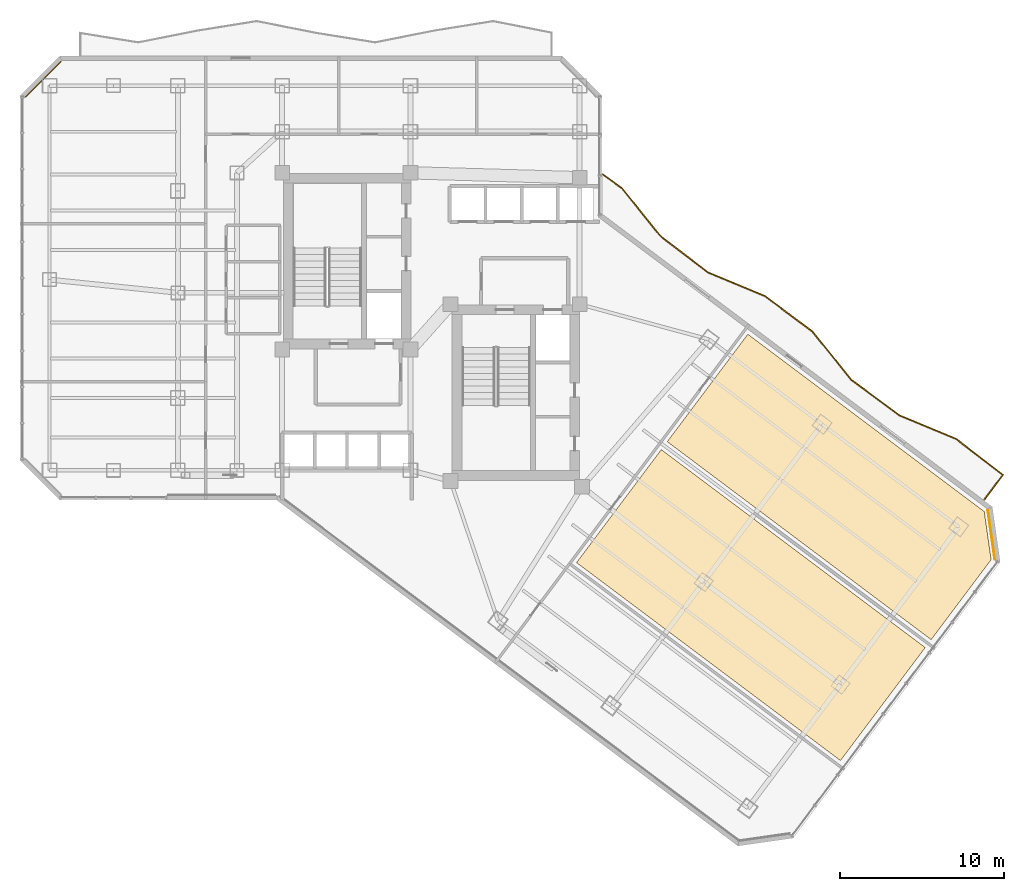
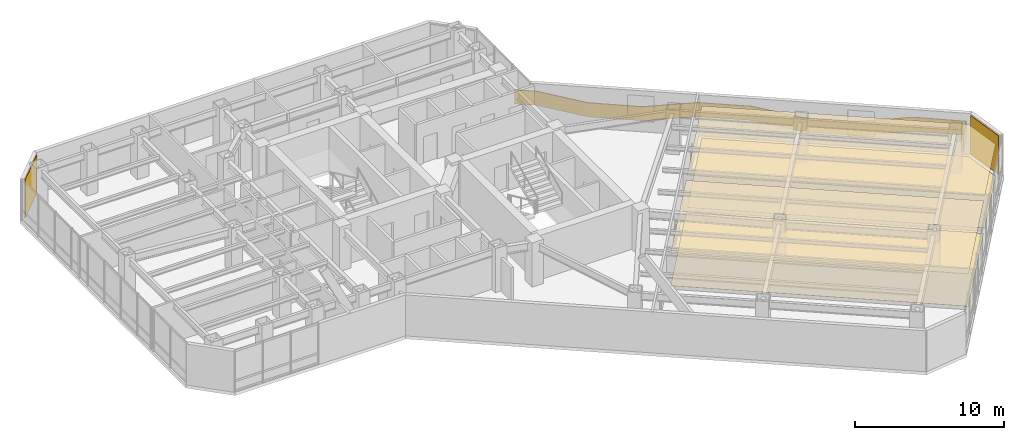
# One storey, part 28 of 30: 6 coverings, 1 railing.
"""IFC4 building model written with IfcOpenShell, lengths in metres."""

from ifc_helpers import new_model, si_unit, direction, frame, origin, origin_2d, place, context, subcontext, project, spatial, polyline, rectangle, outline, extrude, material, layer, layer_set, type_object, element, save


model = new_model("IFC4")

# Units and contexts
model_context = context("Model", 3, precision=1e-05, world=origin(), true_north=direction((0.0, 1.0)))
body_context = subcontext(model_context, "Body", "Model", "MODEL_VIEW")
ifc_project = project(units=[si_unit("LENGTHUNIT", "METRE"), si_unit("AREAUNIT", "SQUARE_METRE"), si_unit("VOLUMEUNIT", "CUBIC_METRE"), si_unit("PLANEANGLEUNIT", "RADIAN"), si_unit("MASSUNIT", "GRAM", prefix="KILO")], contexts=[model_context])

# Site, building, storey
site_placement = place(None, origin())
site = spatial("IfcSite", under=ifc_project, at=site_placement, CompositionType="ELEMENT")
building_placement = place(site_placement, origin())
building = spatial("IfcBuilding", under=site, at=building_placement, Name="Hatsunagi Terrace Concourse", CompositionType="ELEMENT")
storey_placement = place(building_placement, frame((0.0, 0.0, 101.25)))
storey = spatial("IfcBuildingStorey", under=building, at=storey_placement, Name="L26", CompositionType="ELEMENT", Elevation=101.25)

# Covering
ifc_material_1 = material(Name="Acoustic mineral board", Category="gypsum")
ifc_layer_1 = layer(ifc_material_1, 0.02001953125)
ifc_layer_set_1 = layer_set([ifc_layer_1], Name="AcousticMineralCeiling_20")
covering_type_1 = type_object("IfcCoveringType", Name="AcousticMineralCeiling_20", PredefinedType="CEILING", material=ifc_layer_set_1)
covering_1_placement = place(storey_placement, frame((0.0, 0.0, 2.6298828125)))
element("IfcCovering", 1, at=covering_1_placement, inside=storey, type_object=covering_type_1, Name="Suspended Ceiling L26-2", PredefinedType="CEILING", context=body_context, shape_type="SweptSolid", body=[
    extrude(outline(polyline([(68.26611328125, 22.68798828125), (53.882080078125, 33.47607421875), (48.97998046875, 26.93994140625), (65.035888671875, 14.89794921875), (68.68408203125, 19.761962890625), (68.26611328125, 22.68798828125)])), origin(), (0.0, 0.0, 1.0), 0.02001953125),
])

# Railing
ifc_material_2 = material(Name="Laminated Glass and Stainless Steel Guard", Category="steel")
ifc_layer_2 = layer(ifc_material_2, 0.070068359375)
ifc_layer_set_2 = layer_set([ifc_layer_2], Name="BalconyGlassGuardRail_1150")
railing_type = type_object("IfcRailingType", Name="BalconyGlassGuardRail_1150", PredefinedType="BALUSTRADE", material=ifc_layer_set_2)
railing_placement = place(storey_placement, origin())
element("IfcRailing", 2, at=railing_placement, inside=storey, type_object=railing_type, Name="Engawa Balcony Guard GRD-01 L26-BSE-1", PredefinedType="BALUSTRADE", context=body_context, shape_type="SweptSolid", body=[
    extrude(outline(polyline([(45.066650390625, 43.245361328125), (45.025390625, 43.188720703125), (46.187744140625, 42.344482421875), (48.539306640625, 39.4267578125), (51.4443359375, 37.20849609375), (54.906494140625, 35.768310546875), (57.798583984375, 33.605712890625), (60.149658203125, 30.6845703125), (63.087646484375, 28.50927734375), (66.54931640625, 27.069580078125), (69.349365234375, 24.909423828125), (68.241943359375, 23.430908203125), (68.298095703125, 23.388916015625), (69.44677734375, 24.922607421875), (66.584716796875, 27.130615234375), (63.122314453125, 28.57080078125), (60.198486328125, 30.735595703125), (57.847412109375, 33.656494140625), (54.94140625, 35.82958984375), (51.4794921875, 37.26953125), (48.588623046875, 39.477294921875), (46.236328125, 42.3955078125), (45.066650390625, 43.245361328125)])), origin(), (0.0, 0.0, 1.0), 1.14990234375),
])

# Coverings
ifc_material_3 = material(Name="Hardwood timber", Category="wood")
ifc_layer_3 = layer(ifc_material_3, 0.014892578125)
ifc_layer_set_3 = layer_set([ifc_layer_3], Name="HardwoodTimberFlooring_15")
covering_type_2 = type_object("IfcCoveringType", Name="HardwoodTimberFlooring_15", PredefinedType="FLOORING", material=ifc_layer_set_3)
covering_2_placement = place(storey_placement, origin())
element("IfcCovering", 3, at=covering_2_placement, inside=storey, type_object=covering_type_2, Name="Finished Flooring L26-1", PredefinedType="FLOORING", context=body_context, shape_type="SweptSolid", body=[
    extrude(outline(polyline([(64.676025390625, 14.41796875), (48.6201171875, 26.4599609375), (43.4599609375, 19.580078125), (59.51611328125, 7.5380859375), (64.676025390625, 14.41796875)])), origin(), (0.0, 0.0, 1.0), 0.014892578125),
])
covering_3_placement = place(storey_placement, origin())
element("IfcCovering", 4, at=covering_3_placement, inside=storey, type_object=covering_type_2, Name="Finished Flooring L26-2", PredefinedType="FLOORING", context=body_context, shape_type="SweptSolid", body=[
    extrude(outline(polyline([(68.26611328125, 22.68798828125), (53.882080078125, 33.47607421875), (48.97998046875, 26.93994140625), (65.035888671875, 14.89794921875), (68.68408203125, 19.761962890625), (68.26611328125, 22.68798828125)])), origin(), (0.0, 0.0, 1.0), 0.014892578125),
])
ifc_material_4 = material(Name="Unglazed Warm Terracotta Rainscreen Tile", Category="masonry")
ifc_layer_4 = layer(ifc_material_4, 0.044921875)
ifc_layer_set_4 = layer_set([ifc_layer_4], Name="TerracottaRainscreenCladding_45")
covering_type_3 = type_object("IfcCoveringType", Name="TerracottaRainscreenCladding_45", PredefinedType="CLADDING", material=ifc_layer_set_4)
for number, where, z_axis, x_axis, name in (
    (5, (68.700927734375, 21.258056640625, 0.10009765625), (0.0, 0.0, 1.0), (0.141250262458, -0.989973920543, 0.0), "Terracotta Rainscreen Cladding L26-02"),
    (6, (11.013916015625, 48.986083984375, 0.10009765625), (0.0, 0.0, 1.0), (0.707106781187, 0.707106781187, 0.0), "Terracotta Rainscreen Cladding L26-10"),
):
    element("IfcCovering", number, at=place(storey_placement, frame(where, z_axis=z_axis, x_axis=x_axis)), inside=storey, type_object=covering_type_3, Name=name, PredefinedType="CLADDING", context=body_context, shape_type="SweptSolid", body=[
        extrude(rectangle(XDim=3.0380859375, YDim=0.044921875, at=origin_2d()), origin(), (0.0, 0.0, 1.0), 3.14990234375),
    ])
ifc_material_5 = material(Name="Hardwood timber", Category="wood")
ifc_layer_5 = layer(ifc_material_5, 0.034912109375)
ifc_layer_set_5 = layer_set([ifc_layer_5], Name="TimberBaffleCeiling_35")
covering_type_4 = type_object("IfcCoveringType", Name="TimberBaffleCeiling_35", PredefinedType="CEILING", material=ifc_layer_set_5)
covering_4_placement = place(storey_placement, frame((0.0, 0.0, 2.6298828125)))
element("IfcCovering", 7, at=covering_4_placement, inside=storey, type_object=covering_type_4, Name="Suspended Ceiling L26-1", PredefinedType="CEILING", context=body_context, shape_type="SweptSolid", body=[
    extrude(outline(polyline([(64.676025390625, 14.41796875), (48.6201171875, 26.4599609375), (43.4599609375, 19.580078125), (59.51611328125, 7.5380859375), (64.676025390625, 14.41796875)])), origin(), (0.0, 0.0, 1.0), 0.03515625),
])

save(model, "model.ifc")
